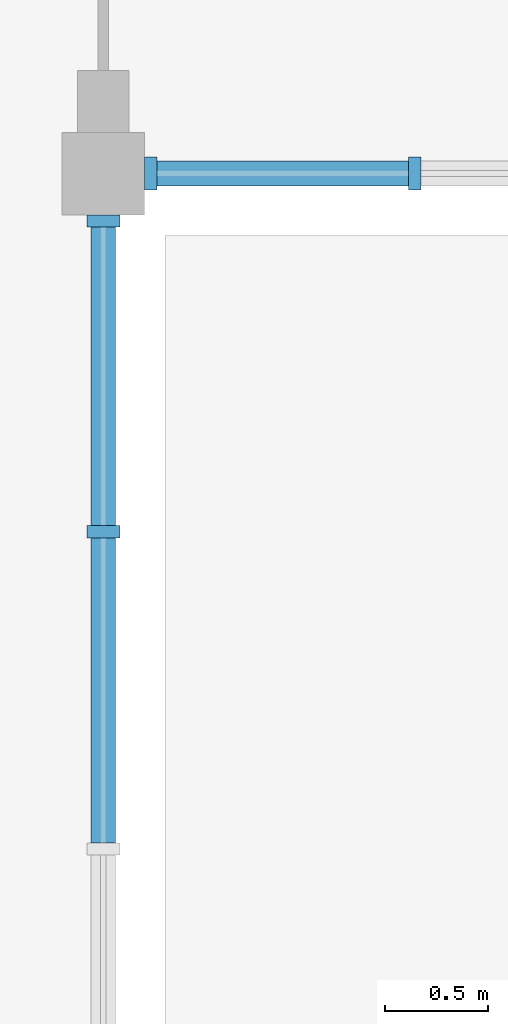
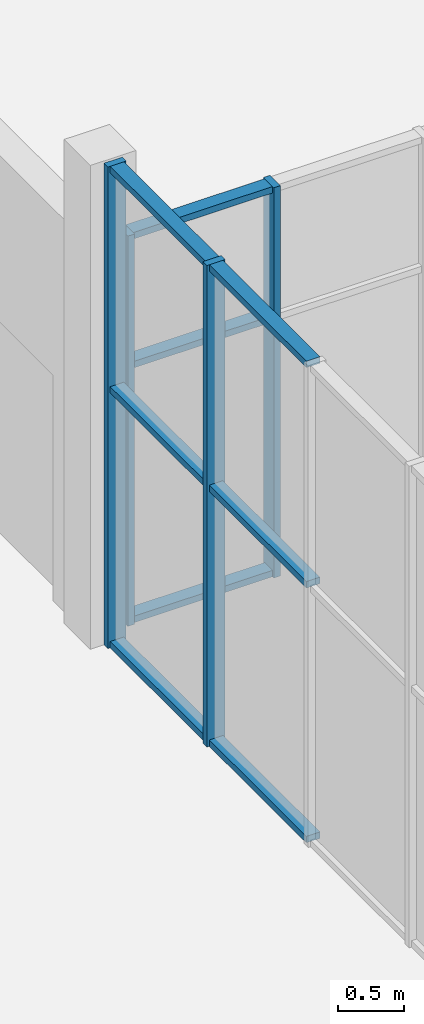
# One storey, part 15 of 60: 13 members, 2 elements without a shape of their own.
"""IFC4 building model written with IfcOpenShell, lengths in metres."""

from ifc_helpers import new_model, si_unit, direction, frame, origin, origin_2d, place, context, subcontext, project, spatial, rectangle, extrude, material, material_profile, profile_set, type_object, element, aggregate, save


model = new_model("IFC4")

# Units and contexts
model_context = context("Model", 3, precision=1e-05, world=origin(), true_north=direction((0.0, 1.0)))
body_context = subcontext(model_context, "Body", "Model", "MODEL_VIEW")
ifc_project = project(units=[si_unit("LENGTHUNIT", "METRE"), si_unit("AREAUNIT", "SQUARE_METRE"), si_unit("VOLUMEUNIT", "CUBIC_METRE"), si_unit("PLANEANGLEUNIT", "RADIAN"), si_unit("MASSUNIT", "GRAM", prefix="KILO")], contexts=[model_context])

# Site, building, storey
site_placement = place(None, origin())
site = spatial("IfcSite", under=ifc_project, at=site_placement, CompositionType="ELEMENT")
building_placement = place(site_placement, origin())
building = spatial("IfcBuilding", under=site, at=building_placement, Name="Fescue Hill Polytechnic", CompositionType="ELEMENT")
storey_placement = place(building_placement, frame((0.0, 0.0, 4.5)))
storey = spatial("IfcBuildingStorey", under=building, at=storey_placement, Name="L01", CompositionType="ELEMENT", Elevation=4.5)

# Curtain wall, members
ifc_material_1 = material(Name="Glass", Category="glass")
curtain_wall_type = type_object("IfcCurtainWallType", Name="Curtain wall structural glazing", PredefinedType="NOTDEFINED", material=ifc_material_1)
curtain_wall_1_placement = place(storey_placement, origin())
curtain_wall_1 = element("IfcCurtainWall", 1, at=curtain_wall_1_placement, inside=storey, type_object=curtain_wall_type, Name="CW-L01-V2-1", PredefinedType="NOTDEFINED")
ifc_material_2 = material(Name="Powder-coated aluminium", Category="aluminium")
ifc_material_profile_1 = material_profile(ifc_material_2, rectangle(XDim=0.159912109375, YDim=0.06005859375, at=origin_2d()), Name="Mullion aluminium 60x160")
ifc_profile_set_1 = profile_set([ifc_material_profile_1], Name="Powder-coated aluminium")
member_type_1 = type_object("IfcMemberType", Name="Mullion aluminium 60x160", PredefinedType="MULLION", material=ifc_profile_set_1)
member_1_placement = place(storey_placement, frame((117.830078125, 58.800048828125, 0.0), z_axis=(0.0, 0.0, 1.0), x_axis=(0.0, 1.0, 0.0)))
member_1 = element("IfcMember", 2, at=member_1_placement, type_object=member_type_1, Name="CW41 mullion 1", PredefinedType="MULLION", context=body_context, shape_type="SweptSolid", body=[
    extrude(rectangle(XDim=0.159912109375, YDim=0.06005859375, at=origin_2d()), origin(), (0.0, 0.0, 1.0), 3.6298828125),
])
member_2_placement = place(storey_placement, frame((119.11328125, 58.800048828125, 0.0), z_axis=(0.0, 0.0, 1.0), x_axis=(0.0, 1.0, 0.0)))
member_2 = element("IfcMember", 3, at=member_2_placement, type_object=member_type_1, Name="CW41 mullion 2", PredefinedType="MULLION", context=body_context, shape_type="SweptSolid", body=[
    extrude(rectangle(XDim=0.159912109375, YDim=0.06005859375, at=origin_2d()), origin(), (0.0, 0.0, 1.0), 3.6298828125),
])

curtain_wall_2_placement = place(storey_placement, origin())
curtain_wall_2 = element("IfcCurtainWall", 4, at=curtain_wall_2_placement, inside=storey, type_object=curtain_wall_type, Name="CW-L01-V6-1", PredefinedType="NOTDEFINED")
member_3_placement = place(storey_placement, frame((117.60009765625, 57.06005859375, 0.0), z_axis=(0.0, 0.0, 1.0), x_axis=(-1.0, 0.0, 0.0)))
member_3 = element("IfcMember", 5, at=member_3_placement, type_object=member_type_1, Name="CW47 mullion 5", PredefinedType="MULLION", context=body_context, shape_type="SweptSolid", body=[
    extrude(rectangle(XDim=0.159912109375, YDim=0.06005859375, at=origin_2d()), origin(), (0.0, 0.0, 1.0), 4.47998046875),
])
member_4_placement = place(storey_placement, frame((117.60009765625, 58.570068359375, 0.0), z_axis=(0.0, 0.0, 1.0), x_axis=(-1.0, 0.0, 0.0)))
member_4 = element("IfcMember", 6, at=member_4_placement, type_object=member_type_1, Name="CW47 mullion 6", PredefinedType="MULLION", context=body_context, shape_type="SweptSolid", body=[
    extrude(rectangle(XDim=0.159912109375, YDim=0.06005859375, at=origin_2d()), origin(), (0.0, 0.0, 1.0), 4.47998046875),
])

# Member
ifc_material_profile_2 = material_profile(ifc_material_2, rectangle(XDim=0.1201171875, YDim=0.06005859375, at=origin_2d()), Name="Transom aluminium 60x120")
ifc_profile_set_2 = profile_set([ifc_material_profile_2], Name="Powder-coated aluminium")
member_type_2 = type_object("IfcMemberType", Name="Transom aluminium 60x120", PredefinedType="USERDEFINED", material=ifc_profile_set_2)
member_5_placement = place(storey_placement, frame((117.860107421875, 58.800048828125, 0.030029296875), z_axis=(1.0, 0.0, 0.0), x_axis=(0.0, 1.0, 0.0)))
member_5 = element("IfcMember", 7, at=member_5_placement, type_object=member_type_2, Name="CW41 transom 1.1", ObjectType="TRANSOM", PredefinedType="USERDEFINED", context=body_context, shape_type="SweptSolid", body=[
    extrude(rectangle(XDim=0.1201171875, YDim=0.06005859375, at=origin_2d()), origin(), (0.0, 0.0, 1.0), 1.22314453125),
])

member_6_placement = place(storey_placement, frame((117.860107421875, 58.800048828125, 2.39990234375), z_axis=(1.0, 0.0, 0.0), x_axis=(0.0, 1.0, 0.0)))
member_6 = element("IfcMember", 8, at=member_6_placement, type_object=member_type_2, Name="CW41 transom 1.2", ObjectType="TRANSOM", PredefinedType="USERDEFINED", context=body_context, shape_type="SweptSolid", body=[
    extrude(rectangle(XDim=0.1201171875, YDim=0.06005859375, at=origin_2d()), origin(), (0.0, 0.0, 1.0), 1.22314453125),
])

member_7_placement = place(storey_placement, frame((117.860107421875, 58.800048828125, 3.60009765625), z_axis=(1.0, 0.0, 0.0), x_axis=(0.0, 1.0, 0.0)))
member_7 = element("IfcMember", 9, at=member_7_placement, type_object=member_type_2, Name="CW41 transom 1.3", ObjectType="TRANSOM", PredefinedType="USERDEFINED", context=body_context, shape_type="SweptSolid", body=[
    extrude(rectangle(XDim=0.1201171875, YDim=0.06005859375, at=origin_2d()), origin(), (0.0, 0.0, 1.0), 1.22314453125),
])

aggregate(curtain_wall_1, [member_1, member_2, member_5, member_6, member_7])

member_8_placement = place(storey_placement, frame((117.60009765625, 55.550048828125, 0.030029296875), z_axis=(0.0, 1.0, 0.0), x_axis=(-1.0, 0.0, 0.0)))
member_8 = element("IfcMember", 10, at=member_8_placement, type_object=member_type_2, Name="CW47 transom 4.1", ObjectType="TRANSOM", PredefinedType="USERDEFINED", context=body_context, shape_type="SweptSolid", body=[
    extrude(rectangle(XDim=0.1201171875, YDim=0.06005859375, at=origin_2d()), origin(), (0.0, 0.0, 1.0), 1.47998046875),
])

member_9_placement = place(storey_placement, frame((117.60009765625, 55.550048828125, 2.39990234375), z_axis=(0.0, 1.0, 0.0), x_axis=(-1.0, 0.0, 0.0)))
member_9 = element("IfcMember", 11, at=member_9_placement, type_object=member_type_2, Name="CW47 transom 4.2", ObjectType="TRANSOM", PredefinedType="USERDEFINED", context=body_context, shape_type="SweptSolid", body=[
    extrude(rectangle(XDim=0.1201171875, YDim=0.06005859375, at=origin_2d()), origin(), (0.0, 0.0, 1.0), 1.47998046875),
])

member_10_placement = place(storey_placement, frame((117.60009765625, 55.550048828125, 4.449951171875), z_axis=(0.0, 1.0, 0.0), x_axis=(-1.0, 0.0, 0.0)))
member_10 = element("IfcMember", 12, at=member_10_placement, type_object=member_type_2, Name="CW47 transom 4.3", ObjectType="TRANSOM", PredefinedType="USERDEFINED", context=body_context, shape_type="SweptSolid", body=[
    extrude(rectangle(XDim=0.1201171875, YDim=0.06005859375, at=origin_2d()), origin(), (0.0, 0.0, 1.0), 1.47998046875),
])

member_11_placement = place(storey_placement, frame((117.60009765625, 57.090087890625, 0.030029296875), z_axis=(0.0, 1.0, 0.0), x_axis=(-1.0, 0.0, 0.0)))
member_11 = element("IfcMember", 13, at=member_11_placement, type_object=member_type_2, Name="CW47 transom 5.1", ObjectType="TRANSOM", PredefinedType="USERDEFINED", context=body_context, shape_type="SweptSolid", body=[
    extrude(rectangle(XDim=0.1201171875, YDim=0.06005859375, at=origin_2d()), origin(), (0.0, 0.0, 1.0), 1.449951171875),
])

member_12_placement = place(storey_placement, frame((117.60009765625, 57.090087890625, 2.39990234375), z_axis=(0.0, 1.0, 0.0), x_axis=(-1.0, 0.0, 0.0)))
member_12 = element("IfcMember", 14, at=member_12_placement, type_object=member_type_2, Name="CW47 transom 5.2", ObjectType="TRANSOM", PredefinedType="USERDEFINED", context=body_context, shape_type="SweptSolid", body=[
    extrude(rectangle(XDim=0.1201171875, YDim=0.06005859375, at=origin_2d()), origin(), (0.0, 0.0, 1.0), 1.449951171875),
])

member_13_placement = place(storey_placement, frame((117.60009765625, 57.090087890625, 4.449951171875), z_axis=(0.0, 1.0, 0.0), x_axis=(-1.0, 0.0, 0.0)))
member_13 = element("IfcMember", 15, at=member_13_placement, type_object=member_type_2, Name="CW47 transom 5.3", ObjectType="TRANSOM", PredefinedType="USERDEFINED", context=body_context, shape_type="SweptSolid", body=[
    extrude(rectangle(XDim=0.1201171875, YDim=0.06005859375, at=origin_2d()), origin(), (0.0, 0.0, 1.0), 1.449951171875),
])

aggregate(curtain_wall_2, [member_3, member_4, member_8, member_9, member_10, member_11, member_12, member_13])

save(model, "model.ifc")
